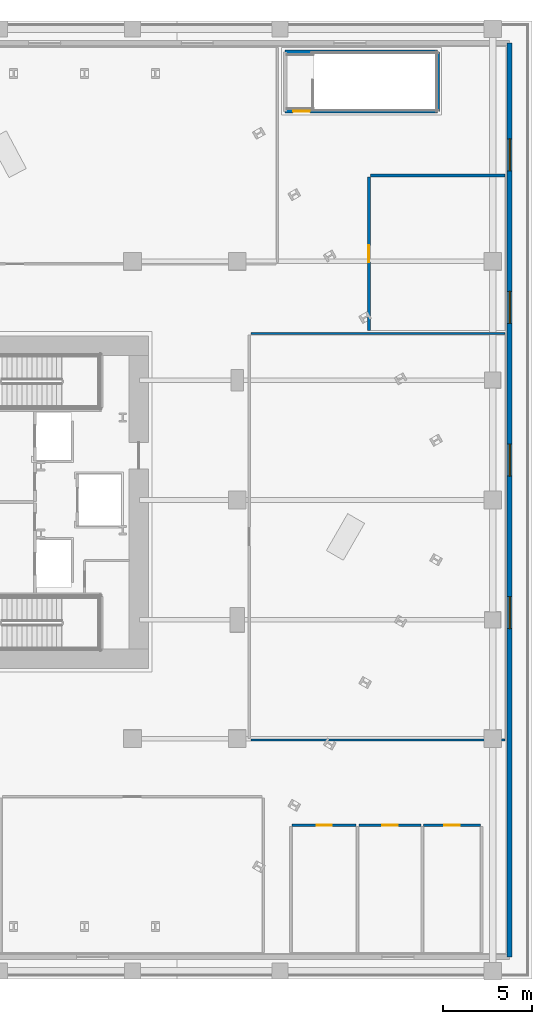
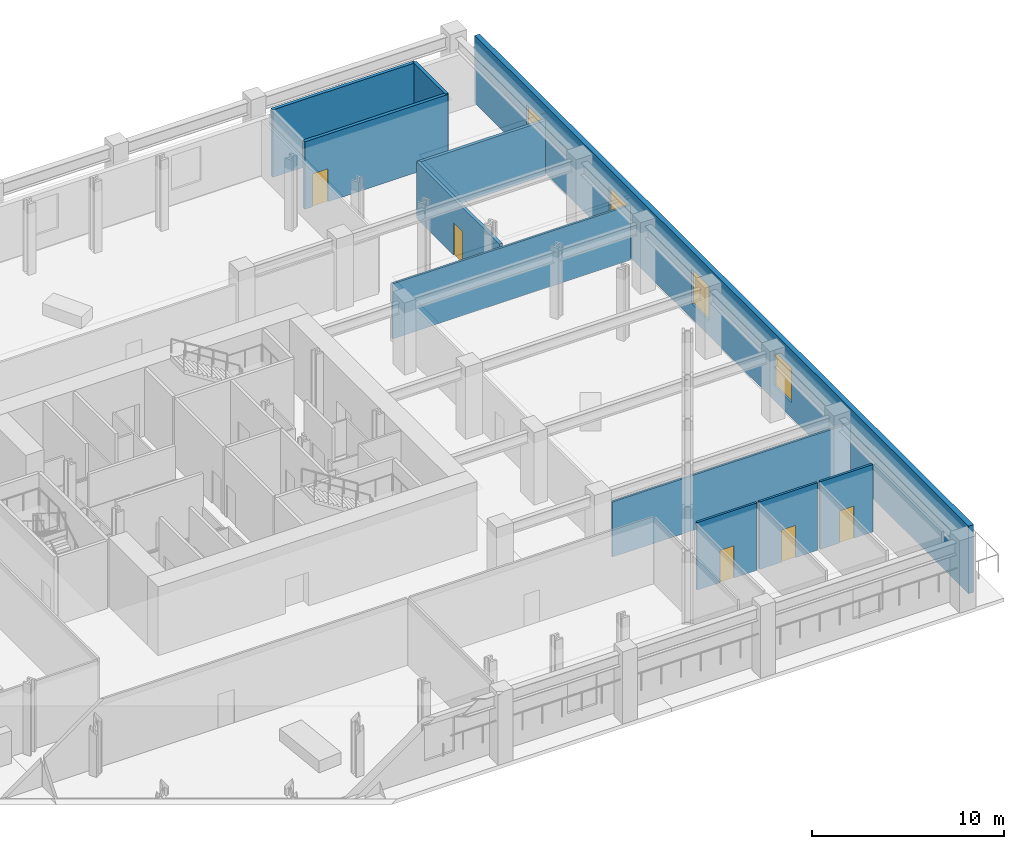
# One storey, part 11 of 24: 11 walls, 5 doors, 4 windows, 9 openings.
"""IFC4 building model written with IfcOpenShell, lengths in metres."""

from ifc_helpers import new_model, si_unit, direction, frame, frame_2d, origin, place, context, subcontext, project, spatial, rectangle, extrude, material, layer, layer_set, type_object, element, fill, save


model = new_model("IFC4")

# Units and contexts
model_context = context("Model", 3, precision=1e-05, world=origin(), true_north=direction((0.0, 1.0)))
body_context = subcontext(model_context, "Body", "Model", "MODEL_VIEW")
ifc_project = project(units=[si_unit("LENGTHUNIT", "METRE"), si_unit("AREAUNIT", "SQUARE_METRE"), si_unit("VOLUMEUNIT", "CUBIC_METRE"), si_unit("PLANEANGLEUNIT", "RADIAN"), si_unit("MASSUNIT", "GRAM", prefix="KILO")], contexts=[model_context])

# Site, building, storey
site_placement = place(None, origin())
site = spatial("IfcSite", under=ifc_project, at=site_placement, CompositionType="ELEMENT")
building_placement = place(site_placement, origin())
building = spatial("IfcBuilding", under=site, at=building_placement, Name="Valkerne Bourse Tower", CompositionType="ELEMENT")
storey_placement = place(building_placement, frame((0.0, 0.0, 19.39990234375)))
storey = spatial("IfcBuildingStorey", under=building, at=storey_placement, Name="L04", CompositionType="ELEMENT", Elevation=19.39990234375)

# Walls
ifc_material_1 = material(Name="Gypsum Board Steel-Stud Partition", Category="steel")
ifc_layer_1 = layer(ifc_material_1, 0.117919921875)
ifc_layer_set_1 = layer_set([ifc_layer_1], Name="Gypsum Board Steel-Stud Partition")
wall_type_1 = type_object("IfcWallType", Name="W-CORR-140", PredefinedType="PARTITIONING", material=ifc_layer_set_1)
for number, where, z_axis, x_axis, name in (
    (1, (62.179931640625, 36.3798828125, 0.0), (0.0, 0.0, 1.0), (1.0, 0.0, 0.0), "L04 L04 East Quantitative Analytics Office Wall"),
    (2, (62.179931640625, 13.47998046875, 0.0), (0.0, 0.0, 1.0), (1.0, 0.0, 0.0), "L04 L04 East Quantitative Analytics Office Wall"),
):
    element("IfcWall", number, at=place(storey_placement, frame(where, z_axis=z_axis, x_axis=x_axis)), inside=storey, type_object=wall_type_1, Name=name, PredefinedType="PARTITIONING", context=body_context, shape_type="SweptSolid", body=[
        extrude(rectangle(XDim=14.320068359375, YDim=0.117919921875, at=frame_2d((7.16015625, 0.0))), origin(), (0.0, 0.0, 1.0), 3.505126953125),
    ])

# Wall, openings, windows
ifc_material_2 = material(Name="Bronze Anodised Aluminium AA 6063-T6", Category="aluminium")
ifc_layer_2 = layer(ifc_material_2, 0.300048828125)
ifc_layer_set_2 = layer_set([ifc_layer_2], Name="Bronze Anodised Aluminium AA 6063-T6")
wall_type_2 = type_object("IfcWallType", Name="W-EXT-ALUM-300", PredefinedType="STANDARD", material=ifc_layer_set_2)
wall_1_placement = place(storey_placement, frame((76.75, 52.75, 0.0), z_axis=(0.0, 0.0, 1.0), x_axis=(0.0, -1.0, 0.0)))
wall_1 = element("IfcWall", 3, at=wall_1_placement, inside=storey, type_object=wall_type_2, Name="L04 Podium Exterior Wall EAST", PredefinedType="STANDARD", context=body_context, shape_type="SweptSolid", body=[
    extrude(rectangle(XDim=51.5, YDim=0.300048828125, at=frame_2d((25.75, 0.0))), origin(), (0.0, 0.0, 1.0), 4.300048828125),
])
opening_1_placement = place(wall_1_placement, frame((5.39990234375, 0.0, 0.949951171875)))
opening_1 = element("IfcOpeningElement", 4, at=opening_1_placement, cuts=wall_1, Name="Opening WN-03", PredefinedType="OPENING", context=body_context, shape_type="SweptSolid", body=[
    extrude(rectangle(XDim=1.800048828125, YDim=2.199951171875, at=frame_2d((0.89990234375, 1.10009765625))), frame((0.0, 0.159912109375, 0.0), z_axis=(0.0, -1.0, 0.0), x_axis=(1.0, 0.0, 0.0)), (0.0, 0.0, 1.0), 0.320068359375),
])
opening_2_placement = place(wall_1_placement, frame((14.0, 0.0, 0.949951171875)))
opening_2 = element("IfcOpeningElement", 5, at=opening_2_placement, cuts=wall_1, Name="Opening WN-03", PredefinedType="OPENING", context=body_context, shape_type="SweptSolid", body=[
    extrude(rectangle(XDim=1.800048828125, YDim=2.199951171875, at=frame_2d((0.89990234375, 1.10009765625))), frame((0.0, 0.159912109375, 0.0), z_axis=(0.0, -1.0, 0.0), x_axis=(1.0, 0.0, 0.0)), (0.0, 0.0, 1.0), 0.320068359375),
])
opening_3_placement = place(wall_1_placement, frame((22.60009765625, 0.0, 0.949951171875)))
opening_3 = element("IfcOpeningElement", 6, at=opening_3_placement, cuts=wall_1, Name="Opening WN-03", PredefinedType="OPENING", context=body_context, shape_type="SweptSolid", body=[
    extrude(rectangle(XDim=1.800048828125, YDim=2.199951171875, at=frame_2d((0.89990234375, 1.10009765625))), frame((0.0, 0.159912109375, 0.0), z_axis=(0.0, -1.0, 0.0), x_axis=(1.0, 0.0, 0.0)), (0.0, 0.0, 1.0), 0.320068359375),
])
opening_4_placement = place(wall_1_placement, frame((31.199951171875, 0.0, 0.949951171875)))
opening_4 = element("IfcOpeningElement", 7, at=opening_4_placement, cuts=wall_1, Name="Opening WN-03", PredefinedType="OPENING", context=body_context, shape_type="SweptSolid", body=[
    extrude(rectangle(XDim=1.800048828125, YDim=2.199951171875, at=frame_2d((0.89990234375, 1.10009765625))), frame((0.0, 0.159912109375, 0.0), z_axis=(0.0, -1.0, 0.0), x_axis=(1.0, 0.0, 0.0)), (0.0, 0.0, 1.0), 0.320068359375),
])
ifc_material_3 = material(Name="Glass IGU Low-E Double Glazed", Category="glass")
window_type = type_object("IfcWindowType", Name="WIN-POD-1800X2200", PartitioningType="SINGLE_PANEL", PredefinedType="WINDOW", material=ifc_material_3)
window_1_placement = place(opening_1_placement, origin())
window_1 = element("IfcWindow", 8, at=window_1_placement, inside=storey, type_object=window_type, Name="L04 Podium Low-E Window 09", OverallHeight=2.199951171875, OverallWidth=1.800048828125, PartitioningType="SINGLE_PANEL", PredefinedType="WINDOW", context=body_context, shape_type="SweptSolid", body=[
    extrude(rectangle(XDim=1.800048828125, YDim=2.199951171875, at=frame_2d((0.89990234375, 1.10009765625))), frame((0.0, 0.030029296875, 0.0), z_axis=(0.0, -1.0, 0.0), x_axis=(1.0, 0.0, 0.0)), (0.0, 0.0, 1.0), 0.06005859375),
])
fill(opening_1, window_1)
window_2_placement = place(opening_2_placement, origin())
window_2 = element("IfcWindow", 9, at=window_2_placement, inside=storey, type_object=window_type, Name="L04 Podium Low-E Window 10", OverallHeight=2.199951171875, OverallWidth=1.800048828125, PartitioningType="SINGLE_PANEL", PredefinedType="WINDOW", context=body_context, shape_type="SweptSolid", body=[
    extrude(rectangle(XDim=1.800048828125, YDim=2.199951171875, at=frame_2d((0.89990234375, 1.10009765625))), frame((0.0, 0.030029296875, 0.0), z_axis=(0.0, -1.0, 0.0), x_axis=(1.0, 0.0, 0.0)), (0.0, 0.0, 1.0), 0.06005859375),
])
fill(opening_2, window_2)
window_3_placement = place(opening_3_placement, origin())
window_3 = element("IfcWindow", 10, at=window_3_placement, inside=storey, type_object=window_type, Name="L04 Podium Low-E Window 11", OverallHeight=2.199951171875, OverallWidth=1.800048828125, PartitioningType="SINGLE_PANEL", PredefinedType="WINDOW", context=body_context, shape_type="SweptSolid", body=[
    extrude(rectangle(XDim=1.800048828125, YDim=2.199951171875, at=frame_2d((0.89990234375, 1.10009765625))), frame((0.0, 0.030029296875, 0.0), z_axis=(0.0, -1.0, 0.0), x_axis=(1.0, 0.0, 0.0)), (0.0, 0.0, 1.0), 0.06005859375),
])
fill(opening_3, window_3)
window_4_placement = place(opening_4_placement, origin())
window_4 = element("IfcWindow", 11, at=window_4_placement, inside=storey, type_object=window_type, Name="L04 Podium Low-E Window 12", OverallHeight=2.199951171875, OverallWidth=1.800048828125, PartitioningType="SINGLE_PANEL", PredefinedType="WINDOW", context=body_context, shape_type="SweptSolid", body=[
    extrude(rectangle(XDim=1.800048828125, YDim=2.199951171875, at=frame_2d((0.89990234375, 1.10009765625))), frame((0.0, 0.030029296875, 0.0), z_axis=(0.0, -1.0, 0.0), x_axis=(1.0, 0.0, 0.0)), (0.0, 0.0, 1.0), 0.06005859375),
])
fill(opening_4, window_4)

# Wall
ifc_material_4 = material(Name="Gypsum Fire-Rated Shaftwall", Category="gypsum")
ifc_layer_3 = layer(ifc_material_4, 0.179931640625)
ifc_layer_set_3 = layer_set([ifc_layer_3], Name="Gypsum Fire-Rated Shaftwall")
wall_type_3 = type_object("IfcWallType", Name="W-FSAE-180", PredefinedType="PARTITIONING", material=ifc_layer_set_3)
wall_2_placement = place(storey_placement, frame((68.89990234375, 45.280029296875, 0.0), z_axis=(0.0, 0.0, 1.0), x_axis=(1.0, 0.0, 0.0)))
element("IfcWall", 12, at=wall_2_placement, inside=storey, type_object=wall_type_3, Name="L04 L04 Co-Location Server Room Wall", PredefinedType="PARTITIONING", context=body_context, shape_type="SweptSolid", body=[
    extrude(rectangle(XDim=7.60009765625, YDim=0.179931640625, at=frame_2d((3.800048828125, 0.0))), origin(), (0.0, 0.0, 1.0), 3.505126953125),
])

# Wall, opening, door
wall_3_placement = place(storey_placement, frame((68.820068359375, 36.550048828125, 0.0), z_axis=(0.0, 0.0, 1.0), x_axis=(0.0, 1.0, 0.0)))
wall_3 = element("IfcWall", 13, at=wall_3_placement, inside=storey, type_object=wall_type_3, Name="L04 L04 Co-Location Server Room Wall", PredefinedType="PARTITIONING", context=body_context, shape_type="SweptSolid", body=[
    extrude(rectangle(XDim=8.64990234375, YDim=0.179931640625, at=frame_2d((4.324951171875, 0.0))), origin(), (0.0, 0.0, 1.0), 3.5966796875),
])
opening_5_placement = place(wall_3_placement, frame((3.85009765625, 0.0, 0.0)))
opening_5 = element("IfcOpeningElement", 14, at=opening_5_placement, cuts=wall_3, Name="Opening D-SV-950", PredefinedType="OPENING", context=body_context, shape_type="SweptSolid", body=[
    extrude(rectangle(XDim=0.949951171875, YDim=2.050048828125, at=frame_2d((0.47509765625, 1.02490234375))), frame((0.0, 0.099853515625, 0.0), z_axis=(0.0, -1.0, 0.0), x_axis=(1.0, 0.0, 0.0)), (0.0, 0.0, 1.0), 0.199951171875),
])
ifc_material_5 = material(Name="Galvanised Painted Steel", Category="steel")
door_type_1 = type_object("IfcDoorType", Name="DR-SRV-950", OperationType="NOTDEFINED", PredefinedType="DOOR", material=ifc_material_5)
door_1_placement = place(opening_5_placement, origin())
door_1 = element("IfcDoor", 15, at=door_1_placement, inside=storey, type_object=door_type_1, Name="L04 L04 Server Room Door", OperationType="SINGLE_SWING_RIGHT", OverallHeight=2.050048828125, OverallWidth=0.949951171875, PredefinedType="DOOR", context=body_context, shape_type="SweptSolid", body=[
    extrude(rectangle(XDim=0.949951171875, YDim=2.050048828125, at=frame_2d((0.47509765625, 1.02490234375))), frame((0.0, 0.02490234375, 0.0), z_axis=(0.0, -1.0, 0.0), x_axis=(1.0, 0.0, 0.0)), (0.0, 0.0, 1.0), 0.050048828125),
])
fill(opening_5, door_1)

ifc_material_6 = material(Name="Concrete C40/50", Category="concrete")
ifc_layer_4 = layer(ifc_material_6, 0.199951171875)
ifc_layer_set_4 = layer_set([ifc_layer_4], Name="Concrete C40/50")
wall_type_4 = type_object("IfcWallType", Name="W-SHF-200", PredefinedType="SHEAR", material=ifc_layer_set_4)
wall_4_placement = place(storey_placement, frame((64.10009765625, 48.89990234375, 0.0), z_axis=(0.0, 0.0, 1.0), x_axis=(1.0, 0.0, 0.0)))
wall_4 = element("IfcWall", 16, at=wall_4_placement, inside=storey, type_object=wall_type_4, Name="L04 Exit Stair ST-P2 Structural South Wall", PredefinedType="SHEAR", context=body_context, shape_type="SweptSolid", body=[
    extrude(rectangle(XDim=8.599853515625, YDim=0.199951171875, at=frame_2d((4.2998046875, 0.0))), origin(), (0.0, 0.0, 1.0), 4.300048828125),
])
opening_6_placement = place(wall_4_placement, frame((0.449951171875, 0.0, 0.0)))
opening_6 = element("IfcOpeningElement", 17, at=opening_6_placement, cuts=wall_4, Name="Opening D-ST-950", PredefinedType="OPENING", context=body_context, shape_type="SweptSolid", body=[
    extrude(rectangle(XDim=0.949951171875, YDim=2.10009765625, at=frame_2d((0.47509765625, 1.050048828125))), frame((0.0, 0.10986328125, 0.0), z_axis=(0.0, -1.0, 0.0), x_axis=(1.0, 0.0, 0.0)), (0.0, 0.0, 1.0), 0.219970703125),
])
door_type_2 = type_object("IfcDoorType", Name="DR-STAIR-950", OperationType="NOTDEFINED", PredefinedType="DOOR", material=ifc_material_5)
door_2_placement = place(opening_6_placement, origin())
door_2 = element("IfcDoor", 18, at=door_2_placement, inside=storey, type_object=door_type_2, Name="L04 Exit Stair ST-P2 Door", OperationType="SINGLE_SWING_LEFT", OverallHeight=2.10009765625, OverallWidth=0.949951171875, PredefinedType="DOOR", context=body_context, shape_type="SweptSolid", body=[
    extrude(rectangle(XDim=0.949951171875, YDim=2.10009765625, at=frame_2d((0.47509765625, 1.050048828125))), frame((0.0, 0.02490234375, 0.0), z_axis=(0.0, -1.0, 0.0), x_axis=(1.0, 0.0, 0.0)), (0.0, 0.0, 1.0), 0.050048828125),
])
fill(opening_6, door_2)

# Walls
wall_5_placement = place(storey_placement, frame((64.10009765625, 52.25, 0.0), z_axis=(0.0, 0.0, 1.0), x_axis=(1.0, 0.0, 0.0)))
element("IfcWall", 19, at=wall_5_placement, inside=storey, type_object=wall_type_4, Name="L04 Exit Stair ST-P2 Structural North Wall", PredefinedType="SHEAR", context=body_context, shape_type="SweptSolid", body=[
    extrude(rectangle(XDim=8.599853515625, YDim=0.199951171875, at=frame_2d((4.2998046875, 0.0))), origin(), (0.0, 0.0, 1.0), 4.300048828125),
])
wall_6_placement = place(storey_placement, frame((72.699951171875, 48.89990234375, 0.0), z_axis=(0.0, 0.0, 1.0), x_axis=(0.0, 1.0, 0.0)))
element("IfcWall", 20, at=wall_6_placement, inside=storey, type_object=wall_type_4, Name="L04 Exit Stair ST-P2 Structural East Wall", PredefinedType="SHEAR", context=body_context, shape_type="SweptSolid", body=[
    extrude(rectangle(XDim=3.35009765625, YDim=0.199951171875, at=frame_2d((1.675048828125, 0.0))), origin(), (0.0, 0.0, 1.0), 4.300048828125),
])

# Wall, opening, door
ifc_material_7 = material(Name="Moisture-Resistant Gypsum Partition", Category="gypsum")
ifc_layer_5 = layer(ifc_material_7, 0.139892578125)
ifc_layer_set_5 = layer_set([ifc_layer_5], Name="Moisture-Resistant Gypsum Partition")
wall_type_5 = type_object("IfcWallType", Name="W-WET-140", PredefinedType="PARTITIONING", material=ifc_layer_set_5)
wall_7_placement = place(storey_placement, frame((64.5, 8.679931640625, 0.0), z_axis=(0.0, 0.0, 1.0), x_axis=(1.0, 0.0, 0.0)))
wall_7 = element("IfcWall", 21, at=wall_7_placement, inside=storey, type_object=wall_type_5, Name="L04 L04 Men Bathroom WC Wall", PredefinedType="PARTITIONING", context=body_context, shape_type="SweptSolid", body=[
    extrude(rectangle(XDim=3.60009765625, YDim=0.139892578125, at=frame_2d((1.800048828125, 0.0))), origin(), (0.0, 0.0, 1.0), 4.300048828125),
])
opening_7_placement = place(wall_7_placement, frame((1.3701171875, 0.0, 0.0)))
opening_7 = element("IfcOpeningElement", 22, at=opening_7_placement, cuts=wall_7, Name="Opening D-WC-900", PredefinedType="OPENING", context=body_context, shape_type="SweptSolid", body=[
    extrude(rectangle(XDim=0.860107421875, YDim=2.050048828125, at=frame_2d((0.43017578125, 1.02490234375))), frame((0.0, 0.079833984375, 0.0), z_axis=(0.0, -1.0, 0.0), x_axis=(1.0, 0.0, 0.0)), (0.0, 0.0, 1.0), 0.159912109375),
])
ifc_material_8 = material(Name="Architectural White Oak Timber", Category="wood")
door_type_3 = type_object("IfcDoorType", Name="DR-WC-900", OperationType="NOTDEFINED", PredefinedType="DOOR", material=ifc_material_8)
door_3_placement = place(opening_7_placement, origin())
door_3 = element("IfcDoor", 23, at=door_3_placement, inside=storey, type_object=door_type_3, Name="L04 L04 Men WC Door", OperationType="SINGLE_SWING_LEFT", OverallHeight=2.050048828125, OverallWidth=0.860107421875, PredefinedType="DOOR", context=body_context, shape_type="SweptSolid", body=[
    extrude(rectangle(XDim=0.860107421875, YDim=2.050048828125, at=frame_2d((0.43017578125, 1.02490234375))), frame((0.0, 0.02490234375, 0.0), z_axis=(0.0, -1.0, 0.0), x_axis=(1.0, 0.0, 0.0)), (0.0, 0.0, 1.0), 0.050048828125),
])
fill(opening_7, door_3)

wall_8_placement = place(storey_placement, frame((68.260009765625, 8.679931640625, 0.0), z_axis=(0.0, 0.0, 1.0), x_axis=(1.0, 0.0, 0.0)))
wall_8 = element("IfcWall", 24, at=wall_8_placement, inside=storey, type_object=wall_type_5, Name="L04 L04 Women Bathroom WC Wall", PredefinedType="PARTITIONING", context=body_context, shape_type="SweptSolid", body=[
    extrude(rectangle(XDim=3.489990234375, YDim=0.139892578125, at=frame_2d((1.7451171875, 0.0))), origin(), (0.0, 0.0, 1.0), 4.300048828125),
])
opening_8_placement = place(wall_8_placement, frame((1.31494140625, 0.0, 0.0)))
opening_8 = element("IfcOpeningElement", 25, at=opening_8_placement, cuts=wall_8, Name="Opening D-WC-900", PredefinedType="OPENING", context=body_context, shape_type="SweptSolid", body=[
    extrude(rectangle(XDim=0.860107421875, YDim=2.050048828125, at=frame_2d((0.43017578125, 1.02490234375))), frame((0.0, 0.079833984375, 0.0), z_axis=(0.0, -1.0, 0.0), x_axis=(1.0, 0.0, 0.0)), (0.0, 0.0, 1.0), 0.159912109375),
])
door_4_placement = place(opening_8_placement, origin())
door_4 = element("IfcDoor", 26, at=door_4_placement, inside=storey, type_object=door_type_3, Name="L04 L04 Women WC Door", OperationType="SINGLE_SWING_LEFT", OverallHeight=2.050048828125, OverallWidth=0.860107421875, PredefinedType="DOOR", context=body_context, shape_type="SweptSolid", body=[
    extrude(rectangle(XDim=0.860107421875, YDim=2.050048828125, at=frame_2d((0.43017578125, 1.02490234375))), frame((0.0, 0.02490234375, 0.0), z_axis=(0.0, -1.0, 0.0), x_axis=(1.0, 0.0, 0.0)), (0.0, 0.0, 1.0), 0.050048828125),
])
fill(opening_8, door_4)

wall_9_placement = place(storey_placement, frame((71.909912109375, 8.679931640625, 0.0), z_axis=(0.0, 0.0, 1.0), x_axis=(1.0, 0.0, 0.0)))
wall_9 = element("IfcWall", 27, at=wall_9_placement, inside=storey, type_object=wall_type_5, Name="L04 L04 Accessible Bathroom WC Wall", PredefinedType="PARTITIONING", context=body_context, shape_type="SweptSolid", body=[
    extrude(rectangle(XDim=3.190185546875, YDim=0.139892578125, at=frame_2d((1.59521484375, 0.0))), origin(), (0.0, 0.0, 1.0), 4.300048828125),
])
opening_9_placement = place(wall_9_placement, frame((1.1650390625, 0.0, 0.0)))
opening_9 = element("IfcOpeningElement", 28, at=opening_9_placement, cuts=wall_9, Name="Opening D-WC-900", PredefinedType="OPENING", context=body_context, shape_type="SweptSolid", body=[
    extrude(rectangle(XDim=0.860107421875, YDim=2.050048828125, at=frame_2d((0.43017578125, 1.02490234375))), frame((0.0, 0.079833984375, 0.0), z_axis=(0.0, -1.0, 0.0), x_axis=(1.0, 0.0, 0.0)), (0.0, 0.0, 1.0), 0.159912109375),
])
door_5_placement = place(opening_9_placement, origin())
door_5 = element("IfcDoor", 29, at=door_5_placement, inside=storey, type_object=door_type_3, Name="L04 L04 Accessible WC Door", OperationType="SINGLE_SWING_LEFT", OverallHeight=2.050048828125, OverallWidth=0.860107421875, PredefinedType="DOOR", context=body_context, shape_type="SweptSolid", body=[
    extrude(rectangle(XDim=0.860107421875, YDim=2.050048828125, at=frame_2d((0.43017578125, 1.02490234375))), frame((0.0, 0.02490234375, 0.0), z_axis=(0.0, -1.0, 0.0), x_axis=(1.0, 0.0, 0.0)), (0.0, 0.0, 1.0), 0.050048828125),
])
fill(opening_9, door_5)

save(model, "model.ifc")
